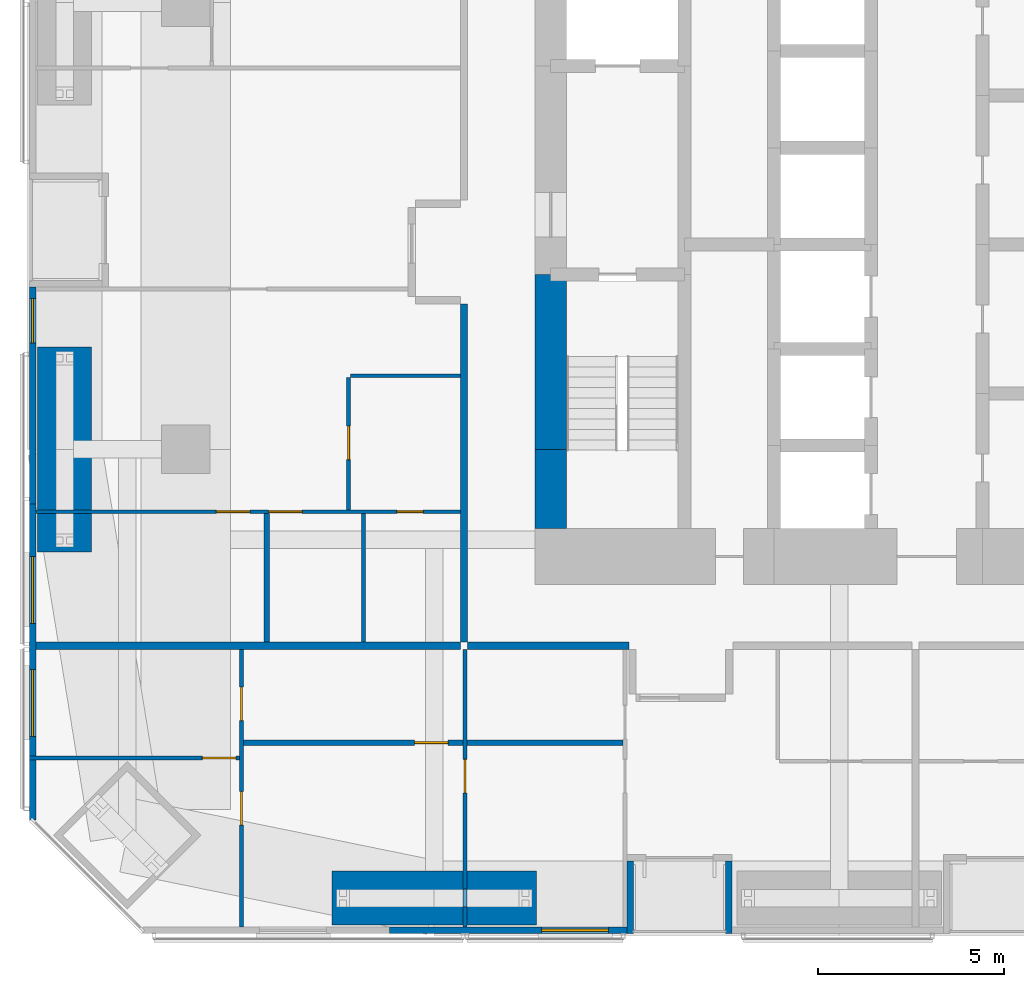
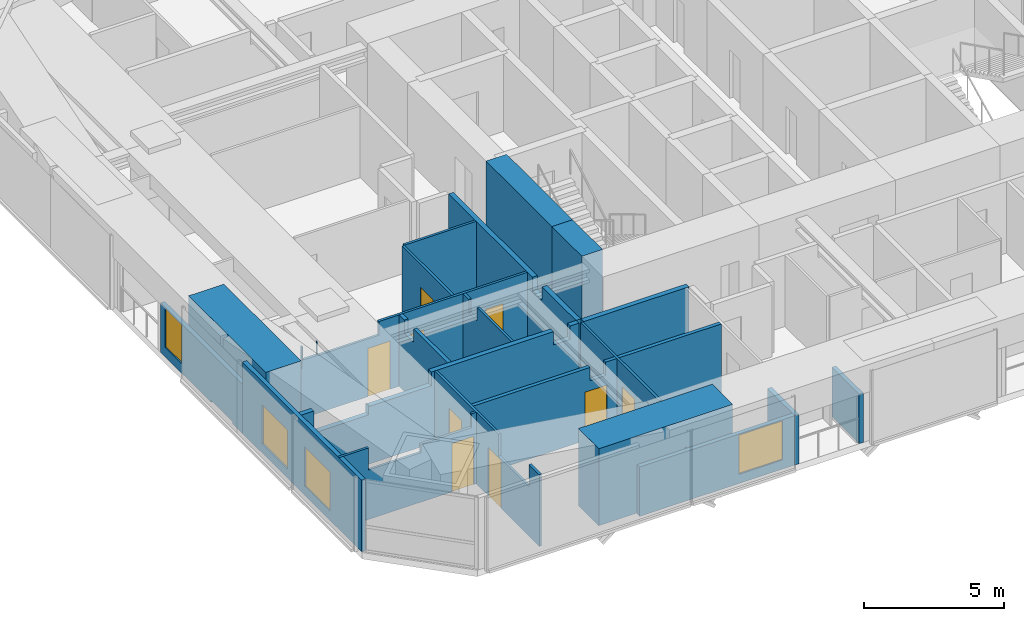
# One storey, part 16 of 23: 22 walls, 9 doors, 4 windows, 13 openings.
"""IFC4 building model written with IfcOpenShell, lengths in metres."""

from ifc_helpers import new_model, si_unit, direction, frame, frame_2d, origin, place, context, subcontext, project, spatial, polyline, rectangle, outline, extrude, material, layer, layer_set, constituent, constituent_set, type_object, element, fill, save


model = new_model("IFC4")

# Units and contexts
model_context = context("Model", 3, precision=1e-05, world=origin(), true_north=direction((0.0, 1.0)))
body_context = subcontext(model_context, "Body", "Model", "MODEL_VIEW")
ifc_project = project(units=[si_unit("LENGTHUNIT", "METRE"), si_unit("AREAUNIT", "SQUARE_METRE"), si_unit("VOLUMEUNIT", "CUBIC_METRE"), si_unit("PLANEANGLEUNIT", "RADIAN"), si_unit("MASSUNIT", "GRAM", prefix="KILO")], contexts=[model_context])

# Site, building, storey
site_placement = place(None, origin())
site = spatial("IfcSite", under=ifc_project, at=site_placement, CompositionType="ELEMENT")
building_placement = place(site_placement, origin())
building = spatial("IfcBuilding", under=site, at=building_placement, Name="Jalousie Tower", CompositionType="ELEMENT")
storey_placement = place(building_placement, frame((0.0, 0.0, 84.75)))
storey = spatial("IfcBuildingStorey", under=building, at=storey_placement, Name="L22", CompositionType="ELEMENT", Elevation=84.75)

# Wall, opening, door
ifc_material_1 = material(Name="Concrete block ASTM C90", Category="concrete")
ifc_constituent_1 = constituent(ifc_material_1, Name="Body")
ifc_material_2 = material(Name="Render")
ifc_constituent_2 = constituent(ifc_material_2, Name="Finish")
ifc_constituent_set_1 = constituent_set(constituents=[ifc_constituent_1, ifc_constituent_2])
wall_type_1 = type_object("IfcWallType", Name="BATHROOM WALL 150", PredefinedType="PLUMBINGWALL", material=ifc_constituent_set_1)
wall_1_placement = place(storey_placement, frame((11.75, 5.125, 0.0), z_axis=(0.0, 0.0, 1.0), x_axis=(1.0, 0.0, 0.0)))
wall_1 = element("IfcWall", 1, at=wall_1_placement, inside=storey, type_object=wall_type_1, Name="Bathroom Wall 150 L22", PredefinedType="PLUMBINGWALL", context=body_context, shape_type="SweptSolid", body=[
    extrude(outline(polyline([(0.0, 0.0), (5.89990234375, 0.0), (5.89990234375, 3.110107421875), (5.4462890625, 3.110107421875), (5.4462890625, 2.531005859375), (4.8037109375, 2.531005859375), (4.8037109375, 3.110107421875), (0.0, 3.110107421875), (0.0, 0.0)])), frame((0.0, 0.074951171875, 0.0), z_axis=(0.0, -1.0, 0.0), x_axis=(1.0, 0.0, 0.0)), (0.0, 0.0, 1.0), 0.14990234375),
])
opening_1_placement = place(wall_1_placement, frame((4.60009765625, 0.0, 0.0)))
opening_1 = element("IfcOpeningElement", 2, at=opening_1_placement, cuts=wall_1, Name="Opening D3", PredefinedType="OPENING", context=body_context, shape_type="SweptSolid", body=[
    extrude(rectangle(XDim=0.89990234375, YDim=2.10009765625, at=frame_2d((0.449951171875, 1.050048828125))), frame((0.0, 0.0849609375, 0.0), z_axis=(0.0, -1.0, 0.0), x_axis=(1.0, 0.0, 0.0)), (0.0, 0.0, 1.0), 0.169921875),
])
ifc_material_3 = material(Name="Timber door", Category="wood")
door_type_1 = type_object("IfcDoorType", Name="BATHROOM DOOR 900", OperationType="SINGLE_SWING_LEFT", PredefinedType="DOOR", material=ifc_material_3)
door_1_placement = place(opening_1_placement, origin())
door_1 = element("IfcDoor", 3, at=door_1_placement, inside=storey, type_object=door_type_1, Name="Apartment 2201 bedroom 2 bathroom door", OperationType="SINGLE_SWING_RIGHT", OverallHeight=2.10009765625, OverallWidth=0.89990234375, PredefinedType="DOOR", context=body_context, shape_type="SweptSolid", body=[
    extrude(rectangle(XDim=0.89990234375, YDim=2.10009765625, at=frame_2d((0.449951171875, 1.050048828125))), frame((0.0, 0.02490234375, 0.0), z_axis=(0.0, -1.0, 0.0), x_axis=(1.0, 0.0, 0.0)), (0.0, 0.0, 1.0), 0.050048828125),
])
fill(opening_1, door_1)

# Walls
wall_2_placement = place(storey_placement, frame((17.75, 5.125, 0.0), z_axis=(0.0, 0.0, 1.0), x_axis=(1.0, 0.0, 0.0)))
element("IfcWall", 4, at=wall_2_placement, inside=storey, type_object=wall_type_1, Name="Bathroom Wall 150 L22", PredefinedType="PLUMBINGWALL", context=body_context, shape_type="SweptSolid", body=[
    extrude(rectangle(XDim=4.199951171875, YDim=0.14990234375, at=frame_2d((2.10009765625, 0.0))), origin(), (0.0, 0.0, 1.0), 3.110107421875),
])
wall_3_placement = place(storey_placement, frame((12.375, 7.824951171875, 0.0), z_axis=(0.0, 0.0, 1.0), x_axis=(0.0, 1.0, 0.0)))
element("IfcWall", 5, at=wall_3_placement, inside=storey, type_object=wall_type_1, Name="Bathroom Wall 150 L22", PredefinedType="PLUMBINGWALL", context=body_context, shape_type="SweptSolid", body=[
    extrude(outline(polyline([(0.0, 0.0), (3.449951171875, 0.0), (3.449951171875, 3.110107421875), (3.0712890625, 3.110107421875), (3.0712890625, 2.531005859375), (2.4287109375, 2.531005859375), (2.4287109375, 3.110107421875), (0.0, 3.110107421875), (0.0, 0.0)])), frame((0.0, 0.074951171875, 0.0), z_axis=(0.0, -1.0, 0.0), x_axis=(1.0, 0.0, 0.0)), (0.0, 0.0, 1.0), 0.14990234375),
])
ifc_material_4 = material(Name="Concrete f'c 120 MPa", Category="concrete")
ifc_layer_1 = layer(ifc_material_4, 0.85009765625)
ifc_layer_set_1 = layer_set([ifc_layer_1], Name="Concrete f'c 120 MPa")
wall_type_2 = type_object("IfcWallType", Name="CORE WALL 850", PredefinedType="SHEAR", material=ifc_layer_set_1)
wall_4_placement = place(storey_placement, frame((20.0, 17.699951171875, 0.0), z_axis=(0.0, 0.0, 1.0), x_axis=(0.0, -1.0, 0.0)))
element("IfcWall", 6, at=wall_4_placement, inside=storey, type_object=wall_type_2, Name="Core wall WC L22", PredefinedType="SHEAR", context=body_context, shape_type="SweptSolid", body=[
    extrude(rectangle(XDim=4.699951171875, YDim=0.85009765625, at=frame_2d((2.35009765625, 0.0))), origin(), (0.0, 0.0, 1.0), 3.35009765625),
])
wall_5_placement = place(storey_placement, frame((20.0, 13.0, 0.0), z_axis=(0.0, 0.0, 1.0), x_axis=(0.0, -1.0, 0.0)))
element("IfcWall", 7, at=wall_5_placement, inside=storey, type_object=wall_type_2, Name="Core wall WD L22", PredefinedType="SHEAR", context=body_context, shape_type="SweptSolid", body=[
    extrude(rectangle(XDim=2.125, YDim=0.85009765625, at=frame_2d((1.0625, 0.0))), origin(), (0.0, 0.0, 1.0), 3.35009765625),
])
ifc_material_5 = material(Name="Concrete block ASTM C90", Category="concrete")
ifc_constituent_3 = constituent(ifc_material_5, Name="Body")
ifc_material_6 = material(Name="Render")
ifc_constituent_4 = constituent(ifc_material_6, Name="Finish")
ifc_constituent_set_2 = constituent_set(constituents=[ifc_constituent_3, ifc_constituent_4])
wall_type_3 = type_object("IfcWallType", Name="CORRIDOR WALL 200", PredefinedType="PARTITIONING", material=ifc_constituent_set_2)
wall_6_placement = place(storey_placement, frame((17.77490234375, 7.72509765625, 0.0), z_axis=(0.0, 0.0, 1.0), x_axis=(1.0, 0.0, 0.0)))
element("IfcWall", 8, at=wall_6_placement, inside=storey, type_object=wall_type_3, Name="Corridor Wall 200 L22", PredefinedType="PARTITIONING", context=body_context, shape_type="SweptSolid", body=[
    extrude(rectangle(XDim=4.3251953125, YDim=0.199951171875, at=frame_2d((2.16259765625, 0.0))), origin(), (0.0, 0.0, 1.0), 3.110107421875),
])
wall_7_placement = place(storey_placement, frame((17.675048828125, 7.824951171875, 0.0), z_axis=(0.0, 0.0, 1.0), x_axis=(0.0, 1.0, 0.0)))
element("IfcWall", 9, at=wall_7_placement, inside=storey, type_object=wall_type_3, Name="Corridor Wall 200 L22", PredefinedType="PARTITIONING", context=body_context, shape_type="SweptSolid", body=[
    extrude(outline(polyline([(0.0, 0.0), (9.074951171875, 0.0), (9.074951171875, 3.110107421875), (3.09619140625, 3.110107421875), (3.09619140625, 2.531005859375), (2.40380859375, 2.531005859375), (2.40380859375, 3.110107421875), (0.0, 3.110107421875), (0.0, 0.0)])), frame((0.0, 0.10009765625, 0.0), z_axis=(0.0, -1.0, 0.0), x_axis=(1.0, 0.0, 0.0)), (0.0, 0.0, 1.0), 0.199951171875),
])

# Wall, opening, window
ifc_material_7 = material(Name="Concrete f'c 40 MPa", Category="concrete")
ifc_constituent_5 = constituent(ifc_material_7, Name="Body")
ifc_material_8 = material(Name="Render, pastel sea green")
ifc_constituent_6 = constituent(ifc_material_8, Name="Finish")
ifc_constituent_set_3 = constituent_set(constituents=[ifc_constituent_5, ifc_constituent_6])
wall_type_4 = type_object("IfcWallType", Name="EXTERNAL WALL 175 SEA GREEN RENDER", PredefinedType="SOLIDWALL", material=ifc_constituent_set_3)
wall_8_placement = place(storey_placement, frame((15.6708984375, 0.08740234375, 0.0), z_axis=(0.0, 0.0, 1.0), x_axis=(1.0, 0.0, 0.0)))
wall_8 = element("IfcWall", 10, at=wall_8_placement, inside=storey, type_object=wall_type_4, Name="External Wall 175 Sea Green Render L22-B", PredefinedType="SOLIDWALL", context=body_context, shape_type="SweptSolid", body=[
    extrude(rectangle(XDim=6.379150390625, YDim=0.175048828125, at=frame_2d((3.189453125, 0.0))), origin(), (0.0, 0.0, 1.0), 2.14990234375),
])
opening_2_placement = place(wall_8_placement, frame((4.086669921875, 0.0, 0.39990234375)))
opening_2 = element("IfcOpeningElement", 11, at=opening_2_placement, cuts=wall_8, Name="Opening W-BED170", PredefinedType="OPENING", context=body_context, shape_type="SweptSolid", body=[
    extrude(rectangle(XDim=1.800048828125, YDim=1.699951171875, at=frame_2d((0.89990234375, 0.85009765625))), frame((0.0, 0.097412109375, 0.0), z_axis=(0.0, -1.0, 0.0), x_axis=(1.0, 0.0, 0.0)), (0.0, 0.0, 1.0), 0.195068359375),
])
ifc_material_9 = material(Name="Aluminium frame, impact-rated glazing", Category="aluminium")
window_type_1 = type_object("IfcWindowType", Name="WINDOW BED 1800x1700", PartitioningType="SINGLE_PANEL", PredefinedType="WINDOW", material=ifc_material_9)
window_1_placement = place(opening_2_placement, origin())
window_1 = element("IfcWindow", 12, at=window_1_placement, inside=storey, type_object=window_type_1, Name="Apartment 2201 bedroom 3 window", OverallHeight=1.699951171875, OverallWidth=1.800048828125, PartitioningType="SINGLE_PANEL", PredefinedType="WINDOW", context=body_context, shape_type="SweptSolid", body=[
    extrude(rectangle(XDim=1.800048828125, YDim=1.699951171875, at=frame_2d((0.89990234375, 0.85009765625))), frame((0.0, 0.030029296875, 0.0), z_axis=(0.0, -1.0, 0.0), x_axis=(1.0, 0.0, 0.0)), (0.0, 0.0, 1.0), 0.06005859375),
])
fill(opening_2, window_1)

# Walls
for number, where, z_axis, x_axis, name in (
    (13, (22.137451171875, 0.0, 0.0), (0.0, 0.0, 1.0), (0.0, 1.0, 0.0), "External Wall 175 Sea Green Render L22"),
    (14, (24.78759765625, 0.0, 0.0), (0.0, 0.0, 1.0), (0.0, 1.0, 0.0), "External Wall 175 Sea Green Render L22"),
):
    element("IfcWall", number, at=place(storey_placement, frame(where, z_axis=z_axis, x_axis=x_axis)), inside=storey, type_object=wall_type_4, Name=name, PredefinedType="SOLIDWALL", context=body_context, shape_type="SweptSolid", body=[
        extrude(rectangle(XDim=1.949951171875, YDim=0.175048828125, at=frame_2d((0.97509765625, 0.0))), origin(), (0.0, 0.0, 1.0), 2.14990234375),
    ])

# Wall, opening, window
wall_9_placement = place(storey_placement, frame((6.08740234375, 17.3583984375, 0.0), z_axis=(0.0, 0.0, 1.0), x_axis=(0.0, -1.0, 0.0)))
wall_9 = element("IfcWall", 15, at=wall_9_placement, inside=storey, type_object=wall_type_4, Name="External Wall 175 Sea Green Render L22-A", PredefinedType="SOLIDWALL", context=body_context, shape_type="SweptSolid", body=[
    extrude(outline(polyline([(5.118408203125, 0.091796875), (5.118408203125, 0.0), (5.826416015625, 0.0), (5.826416015625, 2.14990234375), (0.0, 2.14990234375), (0.0, 0.0), (3.598388671875, 0.0), (3.598388671875, 0.091796875), (5.118408203125, 0.091796875)])), frame((0.0, 0.08740234375, 0.0), z_axis=(0.0, -1.0, 0.0), x_axis=(1.0, 0.0, 0.0)), (0.0, 0.0, 1.0), 0.175048828125),
])
opening_3_placement = place(wall_9_placement, frame((0.300048828125, 0.0, 0.39990234375)))
opening_3 = element("IfcOpeningElement", 16, at=opening_3_placement, cuts=wall_9, Name="Opening W-COR170", PredefinedType="OPENING", context=body_context, shape_type="SweptSolid", body=[
    extrude(rectangle(XDim=1.199951171875, YDim=1.699951171875, at=frame_2d((0.60009765625, 0.85009765625))), frame((0.0, 0.097412109375, 0.0), z_axis=(0.0, -1.0, 0.0), x_axis=(1.0, 0.0, 0.0)), (0.0, 0.0, 1.0), 0.195068359375),
])
ifc_material_10 = material(Name="Aluminium frame, impact-rated glazing", Category="aluminium")
window_type_2 = type_object("IfcWindowType", Name="WINDOW COR 1200x1700", PartitioningType="SINGLE_PANEL", PredefinedType="WINDOW", material=ifc_material_10)
window_2_placement = place(opening_3_placement, origin())
window_2 = element("IfcWindow", 17, at=window_2_placement, inside=storey, type_object=window_type_2, Name="Apartment 2207 dining room window", OverallHeight=1.699951171875, OverallWidth=1.199951171875, PartitioningType="SINGLE_PANEL", PredefinedType="WINDOW", context=body_context, shape_type="SweptSolid", body=[
    extrude(rectangle(XDim=1.199951171875, YDim=1.699951171875, at=frame_2d((0.60009765625, 0.85009765625))), frame((0.0, 0.030029296875, 0.0), z_axis=(0.0, -1.0, 0.0), x_axis=(1.0, 0.0, 0.0)), (0.0, 0.0, 1.0), 0.06005859375),
])
fill(opening_3, window_2)

# Wall, openings, windows
wall_10_placement = place(storey_placement, frame((6.08740234375, 11.531982421875, 0.0), z_axis=(0.0, 0.0, 1.0), x_axis=(0.0, -1.0, 0.0)))
wall_10 = element("IfcWall", 18, at=wall_10_placement, inside=storey, type_object=wall_type_4, Name="External Wall 175 Sea Green Render L22-B", PredefinedType="SOLIDWALL", context=body_context, shape_type="SweptSolid", body=[
    extrude(rectangle(XDim=8.480712890625, YDim=0.175048828125, at=frame_2d((4.240234375, 0.0))), origin(), (0.0, 0.0, 1.0), 3.110107421875),
])
opening_4_placement = place(wall_10_placement, frame((1.406982421875, 0.0, 0.39990234375)))
opening_4 = element("IfcOpeningElement", 19, at=opening_4_placement, cuts=wall_10, Name="Opening W-BED170", PredefinedType="OPENING", context=body_context, shape_type="SweptSolid", body=[
    extrude(rectangle(XDim=1.800048828125, YDim=1.699951171875, at=frame_2d((0.89990234375, 0.85009765625))), frame((0.0, 0.097412109375, 0.0), z_axis=(0.0, -1.0, 0.0), x_axis=(1.0, 0.0, 0.0)), (0.0, 0.0, 1.0), 0.195068359375),
])
opening_5_placement = place(wall_10_placement, frame((4.438720703125, 0.0, 0.39990234375)))
opening_5 = element("IfcOpeningElement", 20, at=opening_5_placement, cuts=wall_10, Name="Opening W-BED170", PredefinedType="OPENING", context=body_context, shape_type="SweptSolid", body=[
    extrude(rectangle(XDim=1.800048828125, YDim=1.699951171875, at=frame_2d((0.89990234375, 0.85009765625))), frame((0.0, 0.097412109375, 0.0), z_axis=(0.0, -1.0, 0.0), x_axis=(1.0, 0.0, 0.0)), (0.0, 0.0, 1.0), 0.195068359375),
])
window_3_placement = place(opening_4_placement, origin())
window_3 = element("IfcWindow", 21, at=window_3_placement, inside=storey, type_object=window_type_1, Name="Apartment 2207 bedroom 1 window", OverallHeight=1.699951171875, OverallWidth=1.800048828125, PartitioningType="SINGLE_PANEL", PredefinedType="WINDOW", context=body_context, shape_type="SweptSolid", body=[
    extrude(rectangle(XDim=1.800048828125, YDim=1.699951171875, at=frame_2d((0.89990234375, 0.85009765625))), frame((0.0, 0.030029296875, 0.0), z_axis=(0.0, -1.0, 0.0), x_axis=(1.0, 0.0, 0.0)), (0.0, 0.0, 1.0), 0.06005859375),
])
fill(opening_4, window_3)
window_4_placement = place(opening_5_placement, origin())
window_4 = element("IfcWindow", 22, at=window_4_placement, inside=storey, type_object=window_type_1, Name="Apartment 2201 bedroom 1 window", OverallHeight=1.699951171875, OverallWidth=1.800048828125, PartitioningType="SINGLE_PANEL", PredefinedType="WINDOW", context=body_context, shape_type="SweptSolid", body=[
    extrude(rectangle(XDim=1.800048828125, YDim=1.699951171875, at=frame_2d((0.89990234375, 0.85009765625))), frame((0.0, 0.030029296875, 0.0), z_axis=(0.0, -1.0, 0.0), x_axis=(1.0, 0.0, 0.0)), (0.0, 0.0, 1.0), 0.06005859375),
])
fill(opening_5, window_4)

# Wall, openings, doors
ifc_material_11 = material(Name="Gypsum board", Category="gypsum")
ifc_constituent_7 = constituent(ifc_material_11, Name="Body")
ifc_material_12 = material(Name="Light-gauge steel studs ASTM A653 SS Grade 33", Category="steel")
ifc_constituent_8 = constituent(ifc_material_12, Name="Framing")
ifc_constituent_set_4 = constituent_set(constituents=[ifc_constituent_7, ifc_constituent_8])
wall_type_5 = type_object("IfcWallType", Name="PARTITION 100", PredefinedType="PARTITIONING", material=ifc_constituent_set_4)
wall_11_placement = place(storey_placement, frame((11.699951171875, 0.175048828125, 0.0), z_axis=(0.0, 0.0, 1.0), x_axis=(0.0, 1.0, 0.0)))
wall_11 = element("IfcWall", 23, at=wall_11_placement, inside=storey, type_object=wall_type_5, Name="Partition 100 L22", PredefinedType="PARTITIONING", context=body_context, shape_type="SweptSolid", body=[
    extrude(outline(polyline([(0.0, 0.0), (7.449951171875, 0.0), (7.449951171875, 3.110107421875), (2.912353515625, 3.110107421875), (2.912353515625, 2.14990234375), (0.748779296875, 2.14990234375), (0.748779296875, 3.110107421875), (0.0, 3.110107421875), (0.0, 0.0)])), frame((0.0, 0.050048828125, 0.0), z_axis=(0.0, -1.0, 0.0), x_axis=(1.0, 0.0, 0.0)), (0.0, 0.0, 1.0), 0.10009765625),
])
opening_6_placement = place(wall_11_placement, frame((2.736328125, 0.0, 0.0)))
opening_6 = element("IfcOpeningElement", 24, at=opening_6_placement, cuts=wall_11, Name="Opening D2", PredefinedType="OPENING", context=body_context, shape_type="SweptSolid", body=[
    extrude(rectangle(XDim=0.89990234375, YDim=2.10009765625, at=frame_2d((0.449951171875, 1.050048828125))), frame((0.0, 0.06005859375, 0.0), z_axis=(0.0, -1.0, 0.0), x_axis=(1.0, 0.0, 0.0)), (0.0, 0.0, 1.0), 0.1201171875),
])
opening_7_placement = place(wall_11_placement, frame((5.543212890625, 0.0, 0.0)))
opening_7 = element("IfcOpeningElement", 25, at=opening_7_placement, cuts=wall_11, Name="Opening D3", PredefinedType="OPENING", context=body_context, shape_type="SweptSolid", body=[
    extrude(rectangle(XDim=0.89990234375, YDim=2.10009765625, at=frame_2d((0.449951171875, 1.050048828125))), frame((0.0, 0.06005859375, 0.0), z_axis=(0.0, -1.0, 0.0), x_axis=(1.0, 0.0, 0.0)), (0.0, 0.0, 1.0), 0.1201171875),
])
door_2_placement = place(opening_7_placement, frame((0.89990234375, 0.0, 0.0), z_axis=(0.0, 0.0, 1.0), x_axis=(-1.0, 0.0, 0.0)))
door_2 = element("IfcDoor", 26, at=door_2_placement, inside=storey, type_object=door_type_1, Name="Apartment 2201 bedroom 1 bathroom door", OperationType="SINGLE_SWING_RIGHT", OverallHeight=2.10009765625, OverallWidth=0.89990234375, PredefinedType="DOOR", context=body_context, shape_type="SweptSolid", body=[
    extrude(rectangle(XDim=0.89990234375, YDim=2.10009765625, at=frame_2d((0.449951171875, 1.050048828125))), frame((0.0, 0.02490234375, 0.0), z_axis=(0.0, -1.0, 0.0), x_axis=(1.0, 0.0, 0.0)), (0.0, 0.0, 1.0), 0.050048828125),
])
fill(opening_7, door_2)
ifc_material_13 = material(Name="Timber door", Category="wood")
door_type_2 = type_object("IfcDoorType", Name="BEDROOM DOOR 900", OperationType="SINGLE_SWING_LEFT", PredefinedType="DOOR", material=ifc_material_13)
door_3_placement = place(opening_6_placement, frame((0.89990234375, 0.0, 0.0), z_axis=(0.0, 0.0, 1.0), x_axis=(-1.0, 0.0, 0.0)))
door_3 = element("IfcDoor", 27, at=door_3_placement, inside=storey, type_object=door_type_2, Name="Apartment 2201 bedroom 1 door", OperationType="SINGLE_SWING_LEFT", OverallHeight=2.10009765625, OverallWidth=0.89990234375, PredefinedType="DOOR", context=body_context, shape_type="SweptSolid", body=[
    extrude(rectangle(XDim=0.89990234375, YDim=2.10009765625, at=frame_2d((0.449951171875, 1.050048828125))), frame((0.0, 0.02490234375, 0.0), z_axis=(0.0, -1.0, 0.0), x_axis=(1.0, 0.0, 0.0)), (0.0, 0.0, 1.0), 0.050048828125),
])
fill(opening_6, door_3)

# Wall, opening, door
wall_12_placement = place(storey_placement, frame((17.699951171875, 0.175048828125, 0.0), z_axis=(0.0, 0.0, 1.0), x_axis=(0.0, 1.0, 0.0)))
wall_12 = element("IfcWall", 28, at=wall_12_placement, inside=storey, type_object=wall_type_5, Name="Partition 100 L22", PredefinedType="PARTITIONING", context=body_context, shape_type="SweptSolid", body=[
    extrude(outline(polyline([(1.8349609375, 2.14990234375), (0.0, 2.14990234375), (0.0, 0.0), (0.52880859375, 0.0), (0.52880859375, 0.62548828125), (1.021240234375, 0.62548828125), (1.021240234375, 0.0), (7.449951171875, 0.0), (7.449951171875, 3.110107421875), (1.8349609375, 3.110107421875), (1.8349609375, 2.14990234375)]), holes=[polyline([(1.021240234375, 1.07470703125), (0.52880859375, 1.07470703125), (0.52880859375, 1.905029296875), (1.021240234375, 1.905029296875), (1.021240234375, 1.07470703125)])]), frame((0.0, 0.050048828125, 0.0), z_axis=(0.0, -1.0, 0.0), x_axis=(1.0, 0.0, 0.0)), (0.0, 0.0, 1.0), 0.10009765625),
])
opening_8_placement = place(wall_12_placement, frame((3.60009765625, 0.0, 0.0)))
opening_8 = element("IfcOpeningElement", 29, at=opening_8_placement, cuts=wall_12, Name="Opening D2", PredefinedType="OPENING", context=body_context, shape_type="SweptSolid", body=[
    extrude(rectangle(XDim=0.89990234375, YDim=2.10009765625, at=frame_2d((0.449951171875, 1.050048828125))), frame((0.0, 0.06005859375, 0.0), z_axis=(0.0, -1.0, 0.0), x_axis=(1.0, 0.0, 0.0)), (0.0, 0.0, 1.0), 0.1201171875),
])
door_4_placement = place(opening_8_placement, origin())
door_4 = element("IfcDoor", 30, at=door_4_placement, inside=storey, type_object=door_type_2, Name="Apartment 2201 bedroom 2 door", OperationType="SINGLE_SWING_RIGHT", OverallHeight=2.10009765625, OverallWidth=0.89990234375, PredefinedType="DOOR", context=body_context, shape_type="SweptSolid", body=[
    extrude(rectangle(XDim=0.89990234375, YDim=2.10009765625, at=frame_2d((0.449951171875, 1.050048828125))), frame((0.0, 0.02490234375, 0.0), z_axis=(0.0, -1.0, 0.0), x_axis=(1.0, 0.0, 0.0)), (0.0, 0.0, 1.0), 0.050048828125),
])
fill(opening_8, door_4)

wall_13_placement = place(storey_placement, frame((6.0, 4.711181640625, 0.0), z_axis=(0.0, 0.0, 1.0), x_axis=(1.0, 0.0, 0.0)))
wall_13 = element("IfcWall", 31, at=wall_13_placement, inside=storey, type_object=wall_type_5, Name="Partition 100 L22", PredefinedType="PARTITIONING", context=body_context, shape_type="SweptSolid", body=[
    extrude(outline(polyline([(0.0, 0.0), (5.64990234375, 0.0), (5.64990234375, 3.110107421875), (5.4599609375, 3.110107421875), (5.4599609375, 2.510009765625), (3.367919921875, 2.510009765625), (3.367919921875, 2.14990234375), (1.22021484375, 2.14990234375), (1.22021484375, 3.110107421875), (0.0, 3.110107421875), (0.0, 0.0)])), frame((0.0, 0.050048828125, 0.0), z_axis=(0.0, -1.0, 0.0), x_axis=(1.0, 0.0, 0.0)), (0.0, 0.0, 1.0), 0.10009765625),
])
opening_9_placement = place(wall_13_placement, frame((4.64990234375, 0.0, 0.0)))
opening_9 = element("IfcOpeningElement", 32, at=opening_9_placement, cuts=wall_13, Name="Opening D7", PredefinedType="OPENING", context=body_context, shape_type="SweptSolid", body=[
    extrude(rectangle(XDim=0.89990234375, YDim=2.10009765625, at=frame_2d((0.449951171875, 1.050048828125))), frame((0.0, 0.06005859375, 0.0), z_axis=(0.0, -1.0, 0.0), x_axis=(1.0, 0.0, 0.0)), (0.0, 0.0, 1.0), 0.1201171875),
])
ifc_material_14 = material(Name="Timber door", Category="wood")
door_type_3 = type_object("IfcDoorType", Name="INTERNAL DOOR 900", OperationType="SINGLE_SWING_LEFT", PredefinedType="DOOR", material=ifc_material_14)
door_5_placement = place(opening_9_placement, origin())
door_5 = element("IfcDoor", 33, at=door_5_placement, inside=storey, type_object=door_type_3, Name="Apartment 2201 bedroom 1 dressing hall door", OperationType="SINGLE_SWING_RIGHT", OverallHeight=2.10009765625, OverallWidth=0.89990234375, PredefinedType="DOOR", context=body_context, shape_type="SweptSolid", body=[
    extrude(rectangle(XDim=0.89990234375, YDim=2.10009765625, at=frame_2d((0.449951171875, 1.050048828125))), frame((0.0, 0.02490234375, 0.0), z_axis=(0.0, -1.0, 0.0), x_axis=(1.0, 0.0, 0.0)), (0.0, 0.0, 1.0), 0.050048828125),
])
fill(opening_9, door_5)

# Wall, openings, doors
wall_14_placement = place(storey_placement, frame((6.175048828125, 11.324951171875, 0.0), z_axis=(0.0, 0.0, 1.0), x_axis=(1.0, 0.0, 0.0)))
wall_14 = element("IfcWall", 34, at=wall_14_placement, inside=storey, type_object=wall_type_5, Name="Partition 100 L22", PredefinedType="PARTITIONING", context=body_context, shape_type="SweptSolid", body=[
    extrude(outline(polyline([(0.0, 0.0), (11.39990234375, 0.0), (11.39990234375, 3.110107421875), (5.284912109375, 3.110107421875), (5.284912109375, 2.510009765625), (2.764892578125, 2.510009765625), (2.764892578125, 3.110107421875), (2.752685546875, 3.110107421875), (2.752685546875, 2.531005859375), (2.16015625, 2.531005859375), (2.16015625, 3.110107421875), (2.12060546875, 3.110107421875), (2.12060546875, 2.14990234375), (1.021240234375, 2.14990234375), (1.021240234375, 1.73388671875), (0.52880859375, 1.73388671875), (0.52880859375, 2.14990234375), (0.0, 2.14990234375), (0.0, 0.0)])), frame((0.0, 0.050048828125, 0.0), z_axis=(0.0, -1.0, 0.0), x_axis=(1.0, 0.0, 0.0)), (0.0, 0.0, 1.0), 0.10009765625),
])
opening_10_placement = place(wall_14_placement, frame((4.85009765625, 0.0, 0.0)))
opening_10 = element("IfcOpeningElement", 35, at=opening_10_placement, cuts=wall_14, Name="Opening D2", PredefinedType="OPENING", context=body_context, shape_type="SweptSolid", body=[
    extrude(rectangle(XDim=0.89990234375, YDim=2.10009765625, at=frame_2d((0.449951171875, 1.050048828125))), frame((0.0, 0.06005859375, 0.0), z_axis=(0.0, -1.0, 0.0), x_axis=(1.0, 0.0, 0.0)), (0.0, 0.0, 1.0), 0.1201171875),
])
opening_11_placement = place(wall_14_placement, frame((6.25, 0.0, 0.0)))
opening_11 = element("IfcOpeningElement", 36, at=opening_11_placement, cuts=wall_14, Name="Opening D7", PredefinedType="OPENING", context=body_context, shape_type="SweptSolid", body=[
    extrude(rectangle(XDim=0.89990234375, YDim=2.10009765625, at=frame_2d((0.449951171875, 1.050048828125))), frame((0.0, 0.06005859375, 0.0), z_axis=(0.0, -1.0, 0.0), x_axis=(1.0, 0.0, 0.0)), (0.0, 0.0, 1.0), 0.1201171875),
])
opening_12_placement = place(wall_14_placement, frame((9.699951171875, 0.0, 0.0)))
opening_12 = element("IfcOpeningElement", 37, at=opening_12_placement, cuts=wall_14, Name="Opening D4", PredefinedType="OPENING", context=body_context, shape_type="SweptSolid", body=[
    extrude(rectangle(XDim=0.699951171875, YDim=2.10009765625, at=frame_2d((0.35009765625, 1.050048828125))), frame((0.0, 0.06005859375, 0.0), z_axis=(0.0, -1.0, 0.0), x_axis=(1.0, 0.0, 0.0)), (0.0, 0.0, 1.0), 0.1201171875),
])
door_6_placement = place(opening_10_placement, frame((0.89990234375, 0.0, 0.0), z_axis=(0.0, 0.0, 1.0), x_axis=(-1.0, 0.0, 0.0)))
door_6 = element("IfcDoor", 38, at=door_6_placement, inside=storey, type_object=door_type_2, Name="Apartment 2207 bedroom 1 door", OperationType="SINGLE_SWING_LEFT", OverallHeight=2.10009765625, OverallWidth=0.89990234375, PredefinedType="DOOR", context=body_context, shape_type="SweptSolid", body=[
    extrude(rectangle(XDim=0.89990234375, YDim=2.10009765625, at=frame_2d((0.449951171875, 1.050048828125))), frame((0.0, 0.02490234375, 0.0), z_axis=(0.0, -1.0, 0.0), x_axis=(1.0, 0.0, 0.0)), (0.0, 0.0, 1.0), 0.050048828125),
])
fill(opening_10, door_6)
door_7_placement = place(opening_11_placement, frame((0.89990234375, 0.0, 0.0), z_axis=(0.0, 0.0, 1.0), x_axis=(-1.0, 0.0, 0.0)))
door_7 = element("IfcDoor", 39, at=door_7_placement, inside=storey, type_object=door_type_3, Name="Apartment 2207 bathroom door", OperationType="SINGLE_SWING_RIGHT", OverallHeight=2.10009765625, OverallWidth=0.89990234375, PredefinedType="DOOR", context=body_context, shape_type="SweptSolid", body=[
    extrude(rectangle(XDim=0.89990234375, YDim=2.10009765625, at=frame_2d((0.449951171875, 1.050048828125))), frame((0.0, 0.02490234375, 0.0), z_axis=(0.0, -1.0, 0.0), x_axis=(1.0, 0.0, 0.0)), (0.0, 0.0, 1.0), 0.050048828125),
])
fill(opening_11, door_7)
ifc_material_15 = material(Name="Timber door", Category="wood")
door_type_4 = type_object("IfcDoorType", Name="STORE DOOR 700", OperationType="SINGLE_SWING_LEFT", PredefinedType="DOOR", material=ifc_material_15)
door_8_placement = place(opening_12_placement, frame((0.699951171875, 0.0, 0.0), z_axis=(0.0, 0.0, 1.0), x_axis=(-1.0, 0.0, 0.0)))
door_8 = element("IfcDoor", 40, at=door_8_placement, inside=storey, type_object=door_type_4, Name="Apartment 2207 store door", OperationType="SINGLE_SWING_RIGHT", OverallHeight=2.10009765625, OverallWidth=0.699951171875, PredefinedType="DOOR", context=body_context, shape_type="SweptSolid", body=[
    extrude(rectangle(XDim=0.699951171875, YDim=2.10009765625, at=frame_2d((0.35009765625, 1.050048828125))), frame((0.0, 0.02490234375, 0.0), z_axis=(0.0, -1.0, 0.0), x_axis=(1.0, 0.0, 0.0)), (0.0, 0.0, 1.0), 0.050048828125),
])
fill(opening_12, door_8)

# Wall
wall_15_placement = place(storey_placement, frame((14.97509765625, 7.824951171875, 0.0), z_axis=(0.0, 0.0, 1.0), x_axis=(0.0, 1.0, 0.0)))
element("IfcWall", 41, at=wall_15_placement, inside=storey, type_object=wall_type_5, Name="Partition 100 L22", PredefinedType="PARTITIONING", context=body_context, shape_type="SweptSolid", body=[
    extrude(outline(polyline([(0.0, 0.0), (3.449951171875, 0.0), (3.449951171875, 3.110107421875), (3.046142578125, 3.110107421875), (3.046142578125, 2.531005859375), (2.453857421875, 2.531005859375), (2.453857421875, 3.110107421875), (0.0, 3.110107421875), (0.0, 0.0)])), frame((0.0, 0.050048828125, 0.0), z_axis=(0.0, -1.0, 0.0), x_axis=(1.0, 0.0, 0.0)), (0.0, 0.0, 1.0), 0.10009765625),
])

# Wall, opening, door
wall_16_placement = place(storey_placement, frame((14.574951171875, 11.375, 0.0), z_axis=(0.0, 0.0, 1.0), x_axis=(0.0, 1.0, 0.0)))
wall_16 = element("IfcWall", 42, at=wall_16_placement, inside=storey, type_object=wall_type_5, Name="Partition 100 L22", PredefinedType="PARTITIONING", context=body_context, shape_type="SweptSolid", body=[
    extrude(rectangle(XDim=3.550048828125, YDim=0.10009765625, at=frame_2d((1.77490234375, 0.0))), origin(), (0.0, 0.0, 1.0), 3.110107421875),
])
opening_13_placement = place(wall_16_placement, frame((1.35009765625, 0.0, 0.0)))
opening_13 = element("IfcOpeningElement", 43, at=opening_13_placement, cuts=wall_16, Name="Opening D7", PredefinedType="OPENING", context=body_context, shape_type="SweptSolid", body=[
    extrude(rectangle(XDim=0.89990234375, YDim=2.10009765625, at=frame_2d((0.449951171875, 1.050048828125))), frame((0.0, 0.06005859375, 0.0), z_axis=(0.0, -1.0, 0.0), x_axis=(1.0, 0.0, 0.0)), (0.0, 0.0, 1.0), 0.1201171875),
])
door_9_placement = place(opening_13_placement, origin())
door_9 = element("IfcDoor", 44, at=door_9_placement, inside=storey, type_object=door_type_3, Name="Apartment 2207 kitchen door", OperationType="SINGLE_SWING_LEFT", OverallHeight=2.10009765625, OverallWidth=0.89990234375, PredefinedType="DOOR", context=body_context, shape_type="SweptSolid", body=[
    extrude(rectangle(XDim=0.89990234375, YDim=2.10009765625, at=frame_2d((0.449951171875, 1.050048828125))), frame((0.0, 0.02490234375, 0.0), z_axis=(0.0, -1.0, 0.0), x_axis=(1.0, 0.0, 0.0)), (0.0, 0.0, 1.0), 0.050048828125),
])
fill(opening_13, door_9)

# Walls
wall_17_placement = place(storey_placement, frame((14.625, 14.97509765625, 0.0), z_axis=(0.0, 0.0, 1.0), x_axis=(1.0, 0.0, 0.0)))
element("IfcWall", 45, at=wall_17_placement, inside=storey, type_object=wall_type_5, Name="Partition 100 L22", PredefinedType="PARTITIONING", context=body_context, shape_type="SweptSolid", body=[
    extrude(rectangle(XDim=2.949951171875, YDim=0.10009765625, at=frame_2d((1.47509765625, 0.0))), origin(), (0.0, 0.0, 1.0), 3.110107421875),
])
ifc_material_16 = material(Name="Concrete block ASTM C90", Category="concrete")
ifc_constituent_9 = constituent(ifc_material_16, Name="Body")
ifc_material_17 = material(Name="Render")
ifc_constituent_10 = constituent(ifc_material_17, Name="Finish")
ifc_constituent_set_5 = constituent_set(constituents=[ifc_constituent_9, ifc_constituent_10])
wall_type_6 = type_object("IfcWallType", Name="PARTY WALL 200", PredefinedType="PARTITIONING", material=ifc_constituent_set_5)
wall_18_placement = place(storey_placement, frame((6.0, 7.72509765625, 0.0), z_axis=(0.0, 0.0, 1.0), x_axis=(1.0, 0.0, 0.0)))
element("IfcWall", 46, at=wall_18_placement, inside=storey, type_object=wall_type_6, Name="Party Wall 200 L22", PredefinedType="PARTITIONING", context=body_context, shape_type="SweptSolid", body=[
    extrude(outline(polyline([(0.0, 0.0), (11.574951171875, 0.0), (11.574951171875, 3.110107421875), (11.22119140625, 3.110107421875), (11.22119140625, 2.531005859375), (10.52880859375, 2.531005859375), (10.52880859375, 3.110107421875), (5.510009765625, 3.110107421875), (5.510009765625, 2.510009765625), (2.9775390625, 2.510009765625), (2.9775390625, 2.531005859375), (2.929931640625, 2.531005859375), (2.929931640625, 2.14990234375), (0.680908203125, 2.14990234375), (0.680908203125, 3.110107421875), (0.0, 3.110107421875), (0.0, 0.0)])), frame((0.0, 0.10009765625, 0.0), z_axis=(0.0, -1.0, 0.0), x_axis=(1.0, 0.0, 0.0)), (0.0, 0.0, 1.0), 0.199951171875),
])
ifc_material_18 = material(Name="Concrete f'c 120 MPa", Category="concrete")
ifc_layer_2 = layer(ifc_material_18, 1.449951171875)
ifc_layer_set_2 = layer_set([ifc_layer_2], Name="Concrete f'c 120 MPa")
wall_type_7 = type_object("IfcWallType", Name="RC WALL PIER 1450", PredefinedType="SHEAR", material=ifc_layer_set_2)
for number, where, z_axis, x_axis, name in (
    (47, (14.125, 0.949951171875, 0.0), (0.0, 0.0, 1.0), (1.0, 0.0, 0.0), "Wall pier 02 L22"),
    (48, (6.949951171875, 10.25, 0.0), (0.0, 0.0, 1.0), (0.0, 1.0, 0.0), "Wall pier 14 L22"),
):
    element("IfcWall", number, at=place(storey_placement, frame(where, z_axis=z_axis, x_axis=x_axis)), inside=storey, type_object=wall_type_7, Name=name, PredefinedType="SHEAR", context=body_context, shape_type="SweptSolid", body=[
        extrude(rectangle(XDim=5.5, YDim=1.449951171875, at=frame_2d((2.75, 0.0))), origin(), (0.0, 0.0, 1.0), 3.35009765625),
    ])

save(model, "model.ifc")
